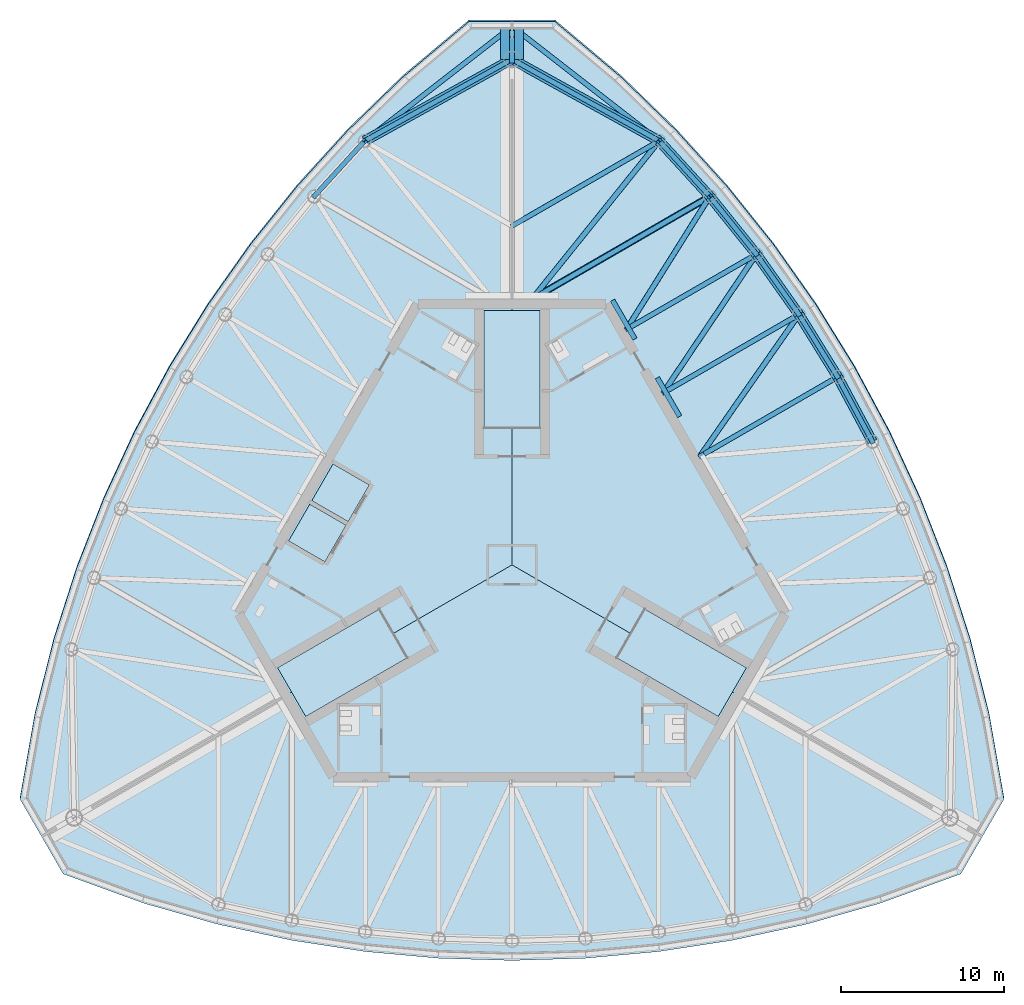
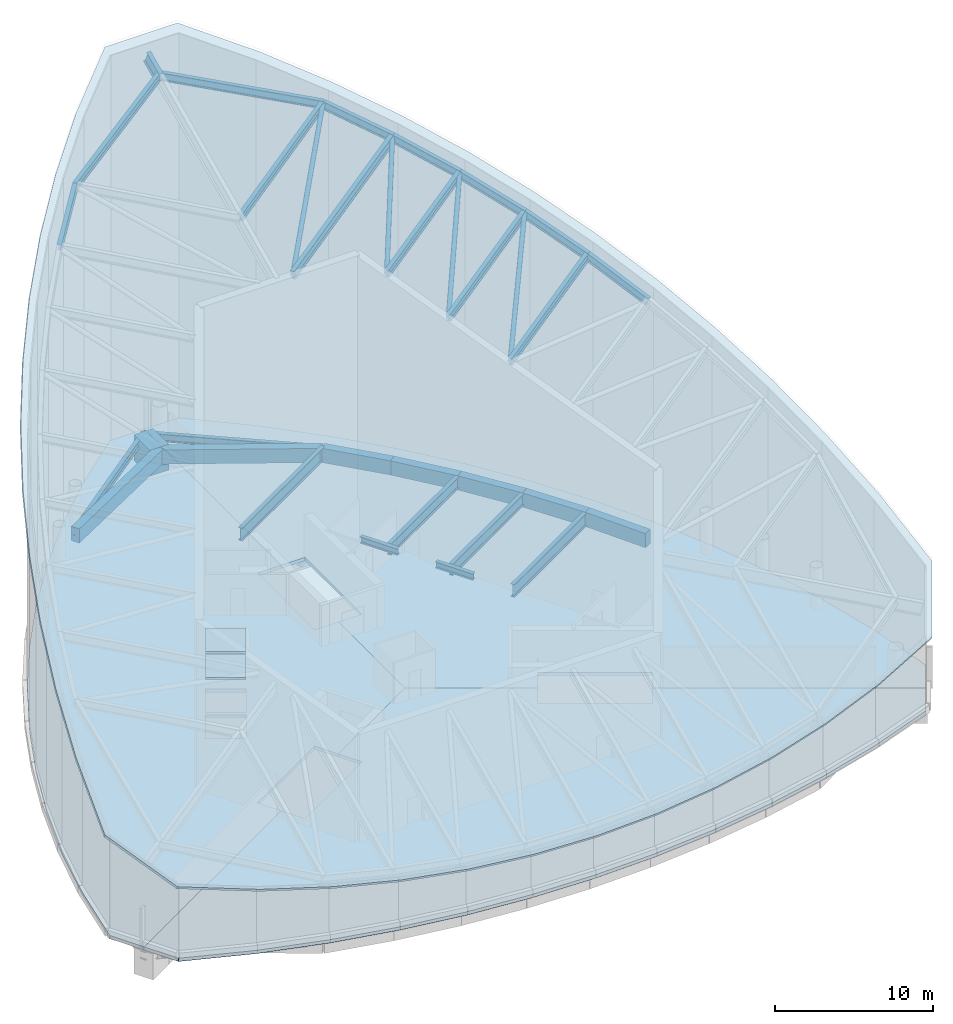
# One storey, part 4 of 10: 31 beams, 6 slabs, 4 members.
"""IFC4 building model written with IfcOpenShell, lengths in metres."""

from ifc_helpers import new_model, si_unit, direction, frame, origin, origin_2d, place, context, subcontext, project, spatial, polyline, rectangle, hollow_circle, i_section, outline, extrude, material, layer, layer_set, material_profile, profile_set, type_object, element, save


model = new_model("IFC4")

# Units and contexts
model_context = context("Model", 3, precision=1e-05, world=origin(), true_north=direction((0.0, 1.0)))
body_context = subcontext(model_context, "Body", "Model", "MODEL_VIEW")
ifc_project = project(units=[si_unit("LENGTHUNIT", "METRE"), si_unit("AREAUNIT", "SQUARE_METRE"), si_unit("VOLUMEUNIT", "CUBIC_METRE"), si_unit("PLANEANGLEUNIT", "RADIAN"), si_unit("MASSUNIT", "GRAM", prefix="KILO")], contexts=[model_context])

# Site, building, storey
site_placement = place(None, origin())
site = spatial("IfcSite", under=ifc_project, at=site_placement, CompositionType="ELEMENT")
building_placement = place(site_placement, origin())
building = spatial("IfcBuilding", under=site, at=building_placement, Name="Trefoil Bronze Tower", CompositionType="ELEMENT")
storey_placement = place(building_placement, frame((0.0, 0.0, 328.5)))
storey = spatial("IfcBuildingStorey", under=building, at=storey_placement, Name="RF", CompositionType="ELEMENT", Elevation=328.5)

# Beams
ifc_material_1 = material(Name="Steel C355", Category="steel")
ifc_material_profile_1 = material_profile(ifc_material_1, i_section(OverallWidth=0.300048828125, OverallDepth=0.5, WebThickness=0.014404296875, FlangeThickness=0.028076171875, FilletRadius=0.027099609375, at=origin_2d()), Name="HEB 500")
ifc_profile_set_1 = profile_set([ifc_material_profile_1], Name="Steel C355")
beam_type_1 = type_object("IfcBeamType", Name="Core seat beam HEB 500", PredefinedType="BEAM", material=ifc_profile_set_1)
for number, where, z_axis, x_axis, name in (
    (1, (10.27685546875, 9.10009765625, -0.5), (-0.500035825175, 0.866004719122, 0.0), (-0.866004719122, -0.500035825175, 0.0), "Core seat beam F2/+1 RF"),
    (2, (7.534423828125, 13.85009765625, -0.5), (-0.499969057507, 0.866043267704, 0.0), (-0.866043267704, -0.499969057507, 0.0), "Core seat beam F2/+2 RF"),
):
    element("IfcBeam", number, at=place(storey_placement, frame(where, z_axis=z_axis, x_axis=x_axis)), inside=storey, type_object=beam_type_1, Name=name, PredefinedType="BEAM", context=body_context, shape_type="SweptSolid", body=[
        extrude(i_section(OverallWidth=0.300048828125, OverallDepth=0.5, WebThickness=0.014404296875, FlangeThickness=0.028076171875, FilletRadius=0.027099609375, at=origin_2d()), origin(), (0.0, 0.0, 1.0), 2.742431640625),
    ])
ifc_material_2 = material(Name="Concrete B80", Category="concrete")
ifc_material_profile_2 = material_profile(ifc_material_2, rectangle(XDim=1.39990234375, YDim=2.0, at=origin_2d()), Name="RC 1400x2000")
ifc_profile_set_2 = profile_set([ifc_material_profile_2], Name="Concrete B80")
beam_type_2 = type_object("IfcBeamType", Name="Corner cantilever RC 1400x2000", PredefinedType="BEAM", material=ifc_profile_set_2)
beam_1_placement = place(storey_placement, frame((0.0, 31.0, -1.25), z_axis=(0.0, 1.0, 0.0), x_axis=(-1.0, 0.0, 0.0)))
element("IfcBeam", 3, at=beam_1_placement, inside=storey, type_object=beam_type_2, Name="Corner cantilever K2 RF", PredefinedType="BEAM", context=body_context, shape_type="SweptSolid", body=[
    extrude(rectangle(XDim=1.39990234375, YDim=2.0, at=origin_2d()), origin(), (0.0, 0.0, 1.0), 2.019775390625),
])
ifc_material_3 = material(Name="Steel C355", Category="steel")
ifc_material_profile_3 = material_profile(ifc_material_3, i_section(OverallWidth=0.300048828125, OverallDepth=0.60009765625, WebThickness=0.015380859375, FlangeThickness=0.030029296875, FilletRadius=0.027099609375, at=origin_2d()), Name="HEB 600")
ifc_profile_set_3 = profile_set([ifc_material_profile_3], Name="Steel C355")
beam_type_3 = type_object("IfcBeamType", Name="Corner edge beam HEB 600", PredefinedType="BEAM", material=ifc_profile_set_3)
for number, where, z_axis, x_axis, name in (
    (4, (9.02734375, 25.99658203125, -0.550048828125), (-0.789270604977, 0.614045529354, 0.0), (-0.614045529354, -0.789270604977, 0.0), "Corner edge beam F2A RF"),
    (5, (-9.02734375, 25.99658203125, -0.550048828125), (0.789270604977, 0.614045529354, 0.0), (-0.614045529354, 0.789270604977, 0.0), "Corner edge beam F3B RF"),
):
    element("IfcBeam", number, at=place(storey_placement, frame(where, z_axis=z_axis, x_axis=x_axis)), inside=storey, type_object=beam_type_3, Name=name, PredefinedType="BEAM", context=body_context, shape_type="SweptSolid", body=[
        extrude(i_section(OverallWidth=0.300048828125, OverallDepth=0.60009765625, WebThickness=0.015380859375, FlangeThickness=0.030029296875, FilletRadius=0.027099609375, at=origin_2d()), origin(), (0.0, 0.0, 1.0), 11.4375),
    ])
ifc_material_4 = material(Name="Steel C355", Category="steel")
ifc_material_profile_4 = material_profile(ifc_material_4, i_section(OverallWidth=0.300048828125, OverallDepth=0.60009765625, WebThickness=0.015380859375, FlangeThickness=0.030029296875, FilletRadius=0.027099609375, at=origin_2d()), Name="HEB 600")
ifc_profile_set_4 = profile_set([ifc_material_profile_4], Name="Steel C355")
beam_type_4 = type_object("IfcBeamType", Name="Crown edge beam HEB 600", PredefinedType="BEAM", material=ifc_profile_set_4)
beam_2_placement = place(storey_placement, frame((22.093994140625, 7.559814453125, 17.51220703125), z_axis=(-0.437827473466, 0.815000264289, 0.379580917181), x_axis=(-0.880930378458, -0.473245885676, 0.0)))
element("IfcBeam", 6, at=beam_2_placement, inside=storey, type_object=beam_type_4, Name="Crown edge beam F2.5", PredefinedType="BEAM", context=body_context, shape_type="SweptSolid", body=[
    extrude(i_section(OverallWidth=0.300048828125, OverallDepth=0.60009765625, WebThickness=0.015380859375, FlangeThickness=0.030029296875, FilletRadius=0.027099609375, at=origin_2d()), origin(), (0.0, 0.0, 1.0), 4.866455078125),
])
beam_3_placement = place(storey_placement, frame((19.96337890625, 11.52587890625, 19.359375), z_axis=(-0.489304887331, 0.790551327496, 0.368251715308), x_axis=(-0.850305593433, -0.526289271956, 0.0)))
element("IfcBeam", 7, at=beam_3_placement, inside=storey, type_object=beam_type_4, Name="Crown edge beam F2.6", PredefinedType="BEAM", context=body_context, shape_type="SweptSolid", body=[
    extrude(i_section(OverallWidth=0.300048828125, OverallDepth=0.60009765625, WebThickness=0.015380859375, FlangeThickness=0.030029296875, FilletRadius=0.027099609375, at=origin_2d()), origin(), (0.0, 0.0, 1.0), 4.84228515625),
])
beam_4_placement = place(storey_placement, frame((17.593994140625, 15.35400390625, 21.142578125), z_axis=(-0.539643958627, 0.763136441165, 0.355537860269), x_axis=(-0.816483968693, -0.577368105169, 0.0)))
element("IfcBeam", 8, at=beam_4_placement, inside=storey, type_object=beam_type_4, Name="Crown edge beam F2.7", PredefinedType="BEAM", context=body_context, shape_type="SweptSolid", body=[
    extrude(i_section(OverallWidth=0.300048828125, OverallDepth=0.60009765625, WebThickness=0.015380859375, FlangeThickness=0.030029296875, FilletRadius=0.027099609375, at=origin_2d()), origin(), (0.0, 0.0, 1.0), 4.8349609375),
])
beam_5_placement = place(storey_placement, frame((14.98486328125, 19.043701171875, 22.861572265625), z_axis=(-0.588944112057, 0.732564435439, 0.341312438689), x_axis=(-0.779365403939, -0.626569682592, 0.0)))
element("IfcBeam", 9, at=beam_5_placement, inside=storey, type_object=beam_type_4, Name="Crown edge beam F2.8", PredefinedType="BEAM", context=body_context, shape_type="SweptSolid", body=[
    extrude(i_section(OverallWidth=0.300048828125, OverallDepth=0.60009765625, WebThickness=0.015380859375, FlangeThickness=0.030029296875, FilletRadius=0.027099609375, at=origin_2d()), origin(), (0.0, 0.0, 1.0), 4.8447265625),
])
beam_6_placement = place(storey_placement, frame((12.131591796875, 22.5927734375, 24.51513671875), z_axis=(-0.637281412598, 0.698779194215, 0.324930821697), x_axis=(-0.738872025707, -0.673845775847, 0.0)))
element("IfcBeam", 10, at=beam_6_placement, inside=storey, type_object=beam_type_4, Name="Crown edge beam F2.9", PredefinedType="BEAM", context=body_context, shape_type="SweptSolid", body=[
    extrude(i_section(OverallWidth=0.300048828125, OverallDepth=0.60009765625, WebThickness=0.015380859375, FlangeThickness=0.030029296875, FilletRadius=0.027099609375, at=origin_2d()), origin(), (0.0, 0.0, 1.0), 4.87109375),
])
for number, where, z_axis, x_axis, name in (
    (11, (9.02734375, 25.99658203125, 26.097900390625), (-0.853113532278, 0.472839375014, 0.220499946668), (-0.484771051426, -0.874641085074, 0.0), "Crown edge beam F2.10"),
    (12, (0.0, 31.0, 28.43115234375), (-0.853113532278, -0.472839375014, -0.220499946668), (0.484771051426, -0.874641085074, 0.0), "Crown edge beam F3.1"),
):
    element("IfcBeam", number, at=place(storey_placement, frame(where, z_axis=z_axis, x_axis=x_axis)), inside=storey, type_object=beam_type_4, Name=name, PredefinedType="BEAM", context=body_context, shape_type="SweptSolid", body=[
        extrude(i_section(OverallWidth=0.300048828125, OverallDepth=0.60009765625, WebThickness=0.015380859375, FlangeThickness=0.030029296875, FilletRadius=0.027099609375, at=origin_2d()), origin(), (0.0, 0.0, 1.0), 10.58154296875),
    ])
beam_7_placement = place(storey_placement, frame((-9.02734375, 25.99658203125, 26.097900390625), z_axis=(-0.637281412598, -0.698779194215, -0.324930821697), x_axis=(0.738872025707, -0.673845775847, 0.0)))
element("IfcBeam", 13, at=beam_7_placement, inside=storey, type_object=beam_type_4, Name="Crown edge beam F3.2", PredefinedType="BEAM", context=body_context, shape_type="SweptSolid", body=[
    extrude(i_section(OverallWidth=0.300048828125, OverallDepth=0.60009765625, WebThickness=0.015380859375, FlangeThickness=0.030029296875, FilletRadius=0.027099609375, at=origin_2d()), origin(), (0.0, 0.0, 1.0), 4.87109375),
])
ifc_material_5 = material(Name="Steel C355", Category="steel")
ifc_material_profile_5 = material_profile(ifc_material_5, i_section(OverallWidth=0.302001953125, OverallDepth=1.008056640625, WebThickness=0.02099609375, FlangeThickness=0.0400390625, FilletRadius=0.030029296875, at=origin_2d()), Name="HEM 1000")
ifc_profile_set_5 = profile_set([ifc_material_profile_5], Name="Steel C355")
beam_type_5 = type_object("IfcBeamType", Name="Crown girder HEM 1000", PredefinedType="BEAM", material=ifc_profile_set_5)
beam_8_placement = place(storey_placement, frame((0.0, 31.0, 28.24365234375), z_axis=(0.0, 0.906294682981, 0.422646362341), x_axis=(-1.0, 0.0, 0.0)))
element("IfcBeam", 14, at=beam_8_placement, inside=storey, type_object=beam_type_5, Name="Crown cantilever K2", PredefinedType="BEAM", context=body_context, shape_type="SweptSolid", body=[
    extrude(i_section(OverallWidth=0.302001953125, OverallDepth=1.008056640625, WebThickness=0.02099609375, FlangeThickness=0.0400390625, FilletRadius=0.030029296875, at=origin_2d()), origin(), (0.0, 0.0, 1.0), 1.73291015625),
])
ifc_material_6 = material(Name="Steel C355", Category="steel")
ifc_material_profile_6 = material_profile(ifc_material_6, i_section(OverallWidth=0.300048828125, OverallDepth=0.60009765625, WebThickness=0.015380859375, FlangeThickness=0.030029296875, FilletRadius=0.027099609375, at=origin_2d()), Name="HEB 600")
ifc_profile_set_6 = profile_set([ifc_material_profile_6], Name="Steel C355")
beam_type_6 = type_object("IfcBeamType", Name="Crown rafter HEB 600", PredefinedType="BEAM", material=ifc_profile_set_6)
beam_9_placement = place(storey_placement, frame((19.96337890625, 11.52587890625, 19.350341796875), z_axis=(-0.843401516038, -0.486945394262, -0.227064012455), x_axis=(0.500005623329, -0.86602215713, 0.0)))
element("IfcBeam", 15, at=beam_9_placement, inside=storey, type_object=beam_type_6, Name="Crown rafter F2/+0", PredefinedType="BEAM", context=body_context, shape_type="SweptSolid", body=[
    extrude(i_section(OverallWidth=0.300048828125, OverallDepth=0.60009765625, WebThickness=0.015380859375, FlangeThickness=0.030029296875, FilletRadius=0.027099609375, at=origin_2d()), origin(), (0.0, 0.0, 1.0), 10.013427734375),
])
beam_10_placement = place(storey_placement, frame((17.593994140625, 15.35400390625, 21.135498046875), z_axis=(-0.84340525471, -0.48693094625, -0.227081108663), x_axis=(0.499992834343, -0.866029540839, 0.0)))
element("IfcBeam", 16, at=beam_10_placement, inside=storey, type_object=beam_type_6, Name="Crown rafter F2/+1", PredefinedType="BEAM", context=body_context, shape_type="SweptSolid", body=[
    extrude(i_section(OverallWidth=0.300048828125, OverallDepth=0.60009765625, WebThickness=0.015380859375, FlangeThickness=0.030029296875, FilletRadius=0.027099609375, at=origin_2d()), origin(), (0.0, 0.0, 1.0), 9.871826171875),
])
beam_11_placement = place(storey_placement, frame((14.98486328125, 19.043701171875, 22.85595703125), z_axis=(-0.843417714714, -0.486919169144, -0.227060082856), x_axis=(0.499978224471, -0.866037975527, 0.0)))
element("IfcBeam", 17, at=beam_11_placement, inside=storey, type_object=beam_type_6, Name="Crown rafter F2/+2", PredefinedType="BEAM", context=body_context, shape_type="SweptSolid", body=[
    extrude(i_section(OverallWidth=0.300048828125, OverallDepth=0.60009765625, WebThickness=0.015380859375, FlangeThickness=0.030029296875, FilletRadius=0.027099609375, at=origin_2d()), origin(), (0.0, 0.0, 1.0), 9.44580078125),
])
beam_12_placement = place(storey_placement, frame((9.02734375, 25.99658203125, 26.09814453125), z_axis=(-0.843404743405, -0.486937593634, -0.227068753262), x_axis=(0.499998180979, -0.866026453994, 0.0)))
element("IfcBeam", 18, at=beam_12_placement, inside=storey, type_object=beam_type_6, Name="Crown rafter F2/+4", PredefinedType="BEAM", context=body_context, shape_type="SweptSolid", body=[
    extrude(i_section(OverallWidth=0.300048828125, OverallDepth=0.60009765625, WebThickness=0.015380859375, FlangeThickness=0.030029296875, FilletRadius=0.027099609375, at=origin_2d()), origin(), (0.0, 0.0, 1.0), 10.703369140625),
])
ifc_material_7 = material(Name="Steel C355", Category="steel")
ifc_material_profile_7 = material_profile(ifc_material_7, i_section(OverallWidth=0.303955078125, OverallDepth=0.716064453125, WebThickness=0.02099609375, FlangeThickness=0.0400390625, FilletRadius=0.027099609375, at=origin_2d()), Name="HEM 700")
ifc_profile_set_7 = profile_set([ifc_material_profile_7], Name="Steel C355")
beam_type_7 = type_object("IfcBeamType", Name="Crown rafter HEM 700", PredefinedType="BEAM", material=ifc_profile_set_7)
beam_13_placement = place(storey_placement, frame((12.131591796875, 22.5927734375, 24.450439453125), z_axis=(-0.843401680856, -0.486944836235, -0.227064596963), x_axis=(0.500005120304, -0.866022447555, 0.0)))
element("IfcBeam", 19, at=beam_13_placement, inside=storey, type_object=beam_type_7, Name="Crown rafter F2/+3", PredefinedType="BEAM", context=body_context, shape_type="SweptSolid", body=[
    extrude(i_section(OverallWidth=0.303955078125, OverallDepth=0.716064453125, WebThickness=0.02099609375, FlangeThickness=0.0400390625, FilletRadius=0.027099609375, at=origin_2d()), origin(), (0.0, 0.0, 1.0), 12.9228515625),
])

# Members
ifc_material_8 = material(Name="Steel C355", Category="steel")
ifc_material_profile_8 = material_profile(ifc_material_8, hollow_circle(Radius=0.161865234375, WallThickness=0.012451171875, at=origin_2d()), Name="CHS 323.9x12.5")
ifc_profile_set_8 = profile_set([ifc_material_profile_8], Name="Steel C355")
member_type = type_object("IfcMemberType", Name="Crown roof brace CHS 323.9x12.5", PredefinedType="BRACE", material=ifc_profile_set_8)
member_1_placement = place(storey_placement, frame((17.593994140625, 15.35400390625, 21.135498046875), z_axis=(-0.534639793726, -0.765900989509, -0.357149779832), x_axis=(0.819981099104, -0.572390598379, 0.0)))
element("IfcMember", 20, at=member_1_placement, inside=storey, type_object=member_type, Name="Crown roof brace F2.5", PredefinedType="BRACE", context=body_context, shape_type="SweptSolid", body=[
    extrude(hollow_circle(Radius=0.161865234375, WallThickness=0.012451171875, at=origin_2d()), origin(), (0.0, 0.0, 1.0), 11.364501953125),
])
member_2_placement = place(storey_placement, frame((14.98486328125, 19.043701171875, 22.85595703125), z_axis=(-0.520629607279, -0.773785086801, -0.360834382326), x_axis=(0.829680754096, -0.558238162689, 0.0)))
element("IfcMember", 21, at=member_2_placement, inside=storey, type_object=member_type, Name="Crown roof brace F2.6", PredefinedType="BRACE", context=body_context, shape_type="SweptSolid", body=[
    extrude(hollow_circle(Radius=0.161865234375, WallThickness=0.012451171875, at=origin_2d()), origin(), (0.0, 0.0, 1.0), 10.98046875),
])
member_3_placement = place(storey_placement, frame((12.131591796875, 22.5927734375, 24.450439453125), z_axis=(-0.495438908918, -0.789485272095, -0.36228896295), x_axis=(0.847027375707, -0.531549268462, 0.0)))
element("IfcMember", 22, at=member_3_placement, inside=storey, type_object=member_type, Name="Crown roof brace F2.7", PredefinedType="BRACE", context=body_context, shape_type="SweptSolid", body=[
    extrude(hollow_circle(Radius=0.161865234375, WallThickness=0.012451171875, at=origin_2d()), origin(), (0.0, 0.0, 1.0), 10.3212890625),
])
member_4_placement = place(storey_placement, frame((9.02734375, 25.99658203125, 26.09814453125), z_axis=(-0.587934301705, -0.73136390193, -0.345601070358), x_axis=(0.779388635383, -0.626540784815, 0.0)))
element("IfcMember", 23, at=member_4_placement, inside=storey, type_object=member_type, Name="Crown roof brace F2.8", PredefinedType="BRACE", context=body_context, shape_type="SweptSolid", body=[
    extrude(hollow_circle(Radius=0.161865234375, WallThickness=0.012451171875, at=origin_2d()), origin(), (0.0, 0.0, 1.0), 13.258056640625),
])

# Beams
ifc_material_9 = material(Name="Concrete B80", Category="concrete")
ifc_material_profile_9 = material_profile(ifc_material_9, rectangle(XDim=0.60009765625, YDim=1.10009765625, at=origin_2d()), Name="RC 600x1100")
ifc_profile_set_9 = profile_set([ifc_material_profile_9], Name="Concrete B80")
beam_type_8 = type_object("IfcBeamType", Name="End spandrel beam RC 600x1100", PredefinedType="SPANDREL", material=ifc_profile_set_9)
for number, where, z_axis, x_axis, name in (
    (24, (9.02734375, 25.99658203125, -0.800048828125), (-0.874641085074, 0.484771051426, 0.0), (-0.484771051426, -0.874641085074, 0.0), "Spandrel F2.10 RF"),
    (25, (0.0, 31.0, -0.800048828125), (-0.874641085074, -0.484771051426, 0.0), (0.484771051426, -0.874641085074, 0.0), "Spandrel F3.1 RF"),
):
    element("IfcBeam", number, at=place(storey_placement, frame(where, z_axis=z_axis, x_axis=x_axis)), inside=storey, type_object=beam_type_8, Name=name, PredefinedType="SPANDREL", context=body_context, shape_type="SweptSolid", body=[
        extrude(rectangle(XDim=0.60009765625, YDim=1.10009765625, at=origin_2d()), origin(), (0.0, 0.0, 1.0), 10.3212890625),
    ])
ifc_material_10 = material(Name="Steel C355", Category="steel")
ifc_material_profile_10 = material_profile(ifc_material_10, i_section(OverallWidth=0.300048828125, OverallDepth=1.0, WebThickness=0.01904296875, FlangeThickness=0.035888671875, FilletRadius=0.030029296875, at=origin_2d()), Name="HEB 1000")
ifc_profile_set_10 = profile_set([ifc_material_profile_10], Name="Steel C355")
beam_type_9 = type_object("IfcBeamType", Name="Floor beam HEB 1000", PredefinedType="BEAM", material=ifc_profile_set_10)
beam_14_placement = place(storey_placement, frame((19.96337890625, 11.52587890625, -0.75), z_axis=(-0.866029875693, -0.499992254348, 0.0), x_axis=(0.499992254348, -0.866029875693, 0.0)))
element("IfcBeam", 26, at=beam_14_placement, inside=storey, type_object=beam_type_9, Name="Floor beam F2/+0 RF", PredefinedType="BEAM", context=body_context, shape_type="SweptSolid", body=[
    extrude(i_section(OverallWidth=0.300048828125, OverallDepth=1.0, WebThickness=0.01904296875, FlangeThickness=0.035888671875, FilletRadius=0.030029296875, at=origin_2d()), origin(), (0.0, 0.0, 1.0), 9.451904296875),
])
ifc_material_11 = material(Name="Steel C355", Category="steel")
ifc_material_profile_11 = material_profile(ifc_material_11, i_section(OverallWidth=0.300048828125, OverallDepth=0.89990234375, WebThickness=0.0185546875, FlangeThickness=0.034912109375, FilletRadius=0.030029296875, at=origin_2d()), Name="HEB 900")
ifc_profile_set_11 = profile_set([ifc_material_profile_11], Name="Steel C355")
beam_type_10 = type_object("IfcBeamType", Name="Floor beam HEB 900", PredefinedType="BEAM", material=ifc_profile_set_11)
beam_15_placement = place(storey_placement, frame((17.593994140625, 15.35400390625, -0.699951171875), z_axis=(-0.866026261222, -0.499998514871, 0.0), x_axis=(0.499998514871, -0.866026261222, 0.0)))
element("IfcBeam", 27, at=beam_15_placement, inside=storey, type_object=beam_type_10, Name="Floor beam F2/+1 RF", PredefinedType="BEAM", context=body_context, shape_type="SweptSolid", body=[
    extrude(i_section(OverallWidth=0.300048828125, OverallDepth=0.89990234375, WebThickness=0.0185546875, FlangeThickness=0.034912109375, FilletRadius=0.030029296875, at=origin_2d()), origin(), (0.0, 0.0, 1.0), 9.31396484375),
])
beam_16_placement = place(storey_placement, frame((14.98486328125, 19.043701171875, -0.699951171875), z_axis=(-0.866034827411, -0.499983677445, 0.0), x_axis=(0.499983677445, -0.866034827411, 0.0)))
element("IfcBeam", 28, at=beam_16_placement, inside=storey, type_object=beam_type_10, Name="Floor beam F2/+2 RF", PredefinedType="BEAM", context=body_context, shape_type="SweptSolid", body=[
    extrude(i_section(OverallWidth=0.300048828125, OverallDepth=0.89990234375, WebThickness=0.0185546875, FlangeThickness=0.034912109375, FilletRadius=0.030029296875, at=origin_2d()), origin(), (0.0, 0.0, 1.0), 8.899169921875),
])
ifc_material_12 = material(Name="Steel C355", Category="steel")
ifc_material_profile_12 = material_profile(ifc_material_12, i_section(OverallWidth=0.302001953125, OverallDepth=1.008056640625, WebThickness=0.02099609375, FlangeThickness=0.0400390625, FilletRadius=0.030029296875, at=origin_2d()), Name="HEM 1000")
ifc_profile_set_12 = profile_set([ifc_material_profile_12], Name="Steel C355")
beam_type_11 = type_object("IfcBeamType", Name="Floor beam HEM 1000", PredefinedType="BEAM", material=ifc_profile_set_12)
beam_17_placement = place(storey_placement, frame((9.02734375, 25.99658203125, -0.75390625), z_axis=(-0.866026453994, -0.499998180979, 0.0), x_axis=(0.499998180979, -0.866026453994, 0.0)))
element("IfcBeam", 29, at=beam_17_placement, inside=storey, type_object=beam_type_11, Name="Floor beam F2/+4 RF", PredefinedType="BEAM", context=body_context, shape_type="SweptSolid", body=[
    extrude(i_section(OverallWidth=0.302001953125, OverallDepth=1.008056640625, WebThickness=0.02099609375, FlangeThickness=0.0400390625, FilletRadius=0.030029296875, at=origin_2d()), origin(), (0.0, 0.0, 1.0), 10.423828125),
])
ifc_material_13 = material(Name="Steel C355", Category="steel")
ifc_material_profile_13 = material_profile(ifc_material_13, i_section(OverallWidth=0.39990234375, OverallDepth=1.199951171875, WebThickness=0.02001953125, FlangeThickness=0.0400390625, FilletRadius=0.010009765625, at=origin_2d()), Name="WPG 1200")
ifc_profile_set_13 = profile_set([ifc_material_profile_13], Name="Steel C355")
beam_type_12 = type_object("IfcBeamType", Name="Floor beam WPG 1200", PredefinedType="BEAM", material=ifc_profile_set_13)
beam_18_placement = place(storey_placement, frame((12.131591796875, 22.5927734375, -0.85009765625), z_axis=(-0.866017581749, -0.500013547917, 0.0), x_axis=(0.500013547917, -0.866017581749, 0.0)))
element("IfcBeam", 30, at=beam_18_placement, inside=storey, type_object=beam_type_12, Name="Floor beam F2/+3 RF", PredefinedType="BEAM", context=body_context, shape_type="SweptSolid", body=[
    extrude(i_section(OverallWidth=0.39990234375, OverallDepth=1.199951171875, WebThickness=0.02001953125, FlangeThickness=0.0400390625, FilletRadius=0.010009765625, at=origin_2d()), origin(), (0.0, 0.0, 1.0), 11.785400390625),
])
ifc_material_14 = material(Name="Concrete B80", Category="concrete")
ifc_material_profile_14 = material_profile(ifc_material_14, rectangle(XDim=0.60009765625, YDim=1.10009765625, at=origin_2d()), Name="RC 600x1100")
ifc_profile_set_14 = profile_set([ifc_material_profile_14], Name="Concrete B80")
beam_type_13 = type_object("IfcBeamType", Name="Spandrel beam RC 600x1100", PredefinedType="SPANDREL", material=ifc_profile_set_14)
beam_19_placement = place(storey_placement, frame((22.093994140625, 7.559814453125, -0.800048828125), z_axis=(-0.473245885676, 0.880930378458, 0.0), x_axis=(-0.880930378458, -0.473245885676, 0.0)))
element("IfcBeam", 31, at=beam_19_placement, inside=storey, type_object=beam_type_13, Name="Spandrel F2.5 RF", PredefinedType="SPANDREL", context=body_context, shape_type="SweptSolid", body=[
    extrude(rectangle(XDim=0.60009765625, YDim=1.10009765625, at=origin_2d()), origin(), (0.0, 0.0, 1.0), 4.502197265625),
])
beam_20_placement = place(storey_placement, frame((19.96337890625, 11.52587890625, -0.800048828125), z_axis=(-0.526289271956, 0.850305593433, 0.0), x_axis=(-0.850305593433, -0.526289271956, 0.0)))
element("IfcBeam", 32, at=beam_20_placement, inside=storey, type_object=beam_type_13, Name="Spandrel F2.6 RF", PredefinedType="SPANDREL", context=body_context, shape_type="SweptSolid", body=[
    extrude(rectangle(XDim=0.60009765625, YDim=1.10009765625, at=origin_2d()), origin(), (0.0, 0.0, 1.0), 4.501953125),
])
beam_21_placement = place(storey_placement, frame((17.593994140625, 15.35400390625, -0.800048828125), z_axis=(-0.577368105169, 0.816483968693, 0.0), x_axis=(-0.816483968693, -0.577368105169, 0.0)))
element("IfcBeam", 33, at=beam_21_placement, inside=storey, type_object=beam_type_13, Name="Spandrel F2.7 RF", PredefinedType="SPANDREL", context=body_context, shape_type="SweptSolid", body=[
    extrude(rectangle(XDim=0.60009765625, YDim=1.10009765625, at=origin_2d()), origin(), (0.0, 0.0, 1.0), 4.51904296875),
])
beam_22_placement = place(storey_placement, frame((14.98486328125, 19.043701171875, -0.800048828125), z_axis=(-0.626569682592, 0.779365403939, 0.0), x_axis=(-0.779365403939, -0.626569682592, 0.0)))
element("IfcBeam", 34, at=beam_22_placement, inside=storey, type_object=beam_type_13, Name="Spandrel F2.8 RF", PredefinedType="SPANDREL", context=body_context, shape_type="SweptSolid", body=[
    extrude(rectangle(XDim=0.60009765625, YDim=1.10009765625, at=origin_2d()), origin(), (0.0, 0.0, 1.0), 4.5537109375),
])
beam_23_placement = place(storey_placement, frame((12.131591796875, 22.5927734375, -0.800048828125), z_axis=(-0.673845775847, 0.738872025707, 0.0), x_axis=(-0.738872025707, -0.673845775847, 0.0)))
element("IfcBeam", 35, at=beam_23_placement, inside=storey, type_object=beam_type_13, Name="Spandrel F2.9 RF", PredefinedType="SPANDREL", context=body_context, shape_type="SweptSolid", body=[
    extrude(rectangle(XDim=0.60009765625, YDim=1.10009765625, at=origin_2d()), origin(), (0.0, 0.0, 1.0), 4.606689453125),
])

# Slabs
ifc_material_15 = material(Name="Concrete B30", Category="concrete")
ifc_layer_1 = layer(ifc_material_15, 0.25)
ifc_layer_set_1 = layer_set([ifc_layer_1], Name="Crown roof 250")
slab_type_1 = type_object("IfcSlabType", Name="Crown roof 250", PredefinedType="ROOF", material=ifc_layer_set_1)
slab_1_placement = place(storey_placement, frame((-22.54833984375, -20.751708984375, 4.945556640625), z_axis=(0.0, -0.422617074685, 0.906308340569), x_axis=(0.954422840963, -0.270494766525, -0.126133349799)))
element("IfcSlab", 36, at=slab_1_placement, inside=storey, type_object=slab_type_1, Name="Crown roof", PredefinedType="ROOF", context=body_context, shape_type="SweptSolid", body=[
    extrude(outline(polyline([(0.0, 0.0), (4.7655395999975285, -2.7755575615628914e-17), (9.381703008770046, 0.3157170441850484), (13.903426404601571, 0.933438976240905), (18.333417019501095, 1.8445084773695948), (22.67324198289461, 3.043914104520251), (26.923222588165604, 4.530628410012249), (31.08303754193059, 6.305678841526215), (35.15111971476358, 8.374076842113013), (39.12476187465557, 10.74447973057062), (43.04130114532969, 13.459454467177212), (47.18984848254254, 16.848473051544648), (48.20541526271253, 22.462316703393327), (45.6132807689867, 27.674227704667985), (42.99894649097985, 32.15548313914941), (40.21366638550038, 36.353938124643236), (37.238943894154964, 40.327105844816785), (34.07960453226592, 44.08164122719956), (30.738927245979546, 47.62096482112991), (27.217979921822483, 50.94656973049645), (23.515694673268086, 54.05696285141056), (19.62882334844493, 56.94862515909713), (15.552382010444738, 59.61540833431481), (11.231473480918302, 62.07253583201474), (6.2441205684679595, 64.4440520473179), (1.1951864576329285, 62.86519878395795), (-1.5525730880706763, 58.0748339010114), (-3.703844448822709, 53.59378964850781), (-5.534758546390622, 49.079716094265706), (-7.08175945087672, 44.48882644203631), (-8.352445948373703, 39.823334265065895), (-9.351492342232977, 35.08428115546601), (-10.080626906594775, 30.272285829126346), (-10.538121367318862, 25.38672957015722), (-10.71933221532869, 20.426669261883852), (-10.616502242945636, 15.389384722771794), (-10.212066945331964, 10.217071306487444), (-9.373125189741774, 4.456919029898031), (-5.340223885854541, 0.4217829100761443), (0.0, 0.0)])), origin(), (0.0, 0.0, -1.0), 0.25),
])
ifc_material_16 = material(Name="Concrete B30", Category="concrete")
ifc_layer_2 = layer(ifc_material_16, 0.25)
ifc_layer_set_2 = layer_set([ifc_layer_2], Name="Floor slab 250")
slab_type_2 = type_object("IfcSlabType", Name="Floor slab 250", PredefinedType="FLOOR", material=ifc_layer_set_2)
slab_2_placement = place(storey_placement, frame((0.0, 0.0, -0.25)))
element("IfcSlab", 37, at=slab_2_placement, inside=storey, type_object=slab_type_2, Name="Floor slab RF face 1", PredefinedType="FLOOR", context=body_context, shape_type="SweptSolid", body=[
    extrude(outline(polyline([(13.5, -22.6162109375), (9.0, -23.30517578125), (4.5, -23.71533203125), (0.0, -23.8515625), (-4.5, -23.71533203125), (-9.0, -23.30517578125), (-13.5, -22.6162109375), (-18.0, -21.640869140625), (-22.54833984375, -20.3515625), (-27.261962890625, -18.635986328125), (-28.51611328125, -16.4638671875), (-13.510009765625, -7.800048828125), (-12.6474609375, -9.2939453125), (-6.412109375, -5.69384765625), (-7.274658203125, -4.199951171875), (0.0, 0.0), (7.274658203125, -4.199951171875), (6.412109375, -5.69384765625), (12.6474609375, -9.2939453125), (13.510009765625, -7.800048828125), (28.51611328125, -16.4638671875), (27.261962890625, -18.635986328125), (22.54833984375, -20.3515625), (18.0, -21.640869140625), (13.5, -22.6162109375)])), origin(), (0.0, 0.0, 1.0), 0.25),
])
slab_3_placement = place(storey_placement, frame((0.0, 0.0, -0.25)))
element("IfcSlab", 38, at=slab_3_placement, inside=storey, type_object=slab_type_2, Name="Floor slab RF face 2", PredefinedType="FLOOR", context=body_context, shape_type="SweptSolid", body=[
    extrude(outline(polyline([(12.836181640625, 22.99951171875), (15.682861328125, 19.44677734375), (18.2880859375, 15.7548828125), (20.656005859375, 11.92578125), (22.7880859375, 7.96044921875), (24.682861328125, 3.8583984375), (26.336181640625, -0.38330078125), (27.741455078125, -4.76806640625), (28.899169921875, -9.3515625), (29.770263671875, -14.291748046875), (28.51611328125, -16.4638671875), (13.510009765625, -7.800048828125), (14.37255859375, -6.30615234375), (8.13720703125, -2.7060546875), (7.274658203125, -4.199951171875), (0.0, 0.0), (0.0, 8.39990234375), (1.72509765625, 8.39990234375), (1.72509765625, 15.60009765625), (0.0, 15.60009765625), (0.0, 32.927490234375), (2.508056640625, 32.927490234375), (6.350830078125, 29.703125), (9.741455078125, 26.408935546875), (12.836181640625, 22.99951171875)])), origin(), (0.0, 0.0, 1.0), 0.25),
])
slab_4_placement = place(storey_placement, frame((0.0, 0.0, -0.25)))
element("IfcSlab", 39, at=slab_4_placement, inside=storey, type_object=slab_type_2, Name="Floor slab RF face 3", PredefinedType="FLOOR", context=body_context, shape_type="SweptSolid", body=[
    extrude(outline(polyline([(-26.336181640625, -0.38330078125), (-24.682861328125, 3.8583984375), (-22.7880859375, 7.96044921875), (-20.656005859375, 11.92578125), (-18.2880859375, 15.7548828125), (-15.682861328125, 19.44677734375), (-12.836181640625, 22.99951171875), (-9.741455078125, 26.408935546875), (-6.350830078125, 29.703125), (-2.508056640625, 32.927490234375), (0.0, 32.927490234375), (0.0, 15.60009765625), (-1.72509765625, 15.60009765625), (-1.72509765625, 8.39990234375), (0.0, 8.39990234375), (0.0, 0.0), (-7.274658203125, -4.199951171875), (-8.13720703125, -2.7060546875), (-14.37255859375, -6.30615234375), (-13.510009765625, -7.800048828125), (-28.51611328125, -16.4638671875), (-29.770263671875, -14.291748046875), (-28.899169921875, -9.3515625), (-27.741455078125, -4.76806640625), (-26.336181640625, -0.38330078125)]), holes=[polyline([(-8.744384765625, 4.904296875), (-10.04443359375, 2.652587890625), (-12.2744140625, 3.940185546875), (-10.974365234375, 6.191650390625), (-8.744384765625, 4.904296875)]), polyline([(-10.16943359375, 2.43603515625), (-11.469482421875, 0.184326171875), (-13.699462890625, 1.471923828125), (-12.3994140625, 3.7236328125), (-10.16943359375, 2.43603515625)])]), origin(), (0.0, 0.0, 1.0), 0.25),
])
ifc_material_17 = material(Name="Concrete B80", Category="concrete")
ifc_layer_3 = layer(ifc_material_17, 0.199951171875)
ifc_layer_set_3 = layer_set([ifc_layer_3], Name="Lift pit slab 200")
slab_type_3 = type_object("IfcSlabType", Name="Lift pit slab 200", PredefinedType="FLOOR", material=ifc_layer_set_3)
slab_5_placement = place(storey_placement, frame((0.0, 0.0, 4.5)))
element("IfcSlab", 40, at=slab_5_placement, inside=storey, type_object=slab_type_3, Name="Lift overrun slab FL1", PredefinedType="FLOOR", context=body_context, shape_type="SweptSolid", body=[
    extrude(outline(polyline([(-8.744384765625, 4.904296875), (-10.04443359375, 2.652587890625), (-12.2744140625, 3.940185546875), (-10.974365234375, 6.191650390625), (-8.744384765625, 4.904296875)])), origin(), (0.0, 0.0, 1.0), 0.199951171875),
])
slab_6_placement = place(storey_placement, frame((0.0, 0.0, 4.5)))
element("IfcSlab", 41, at=slab_6_placement, inside=storey, type_object=slab_type_3, Name="Lift overrun slab FL2", PredefinedType="FLOOR", context=body_context, shape_type="SweptSolid", body=[
    extrude(outline(polyline([(-10.16943359375, 2.43603515625), (-11.469482421875, 0.184326171875), (-13.699462890625, 1.471923828125), (-12.3994140625, 3.7236328125), (-10.16943359375, 2.43603515625)])), origin(), (0.0, 0.0, 1.0), 0.199951171875),
])

save(model, "model.ifc")
